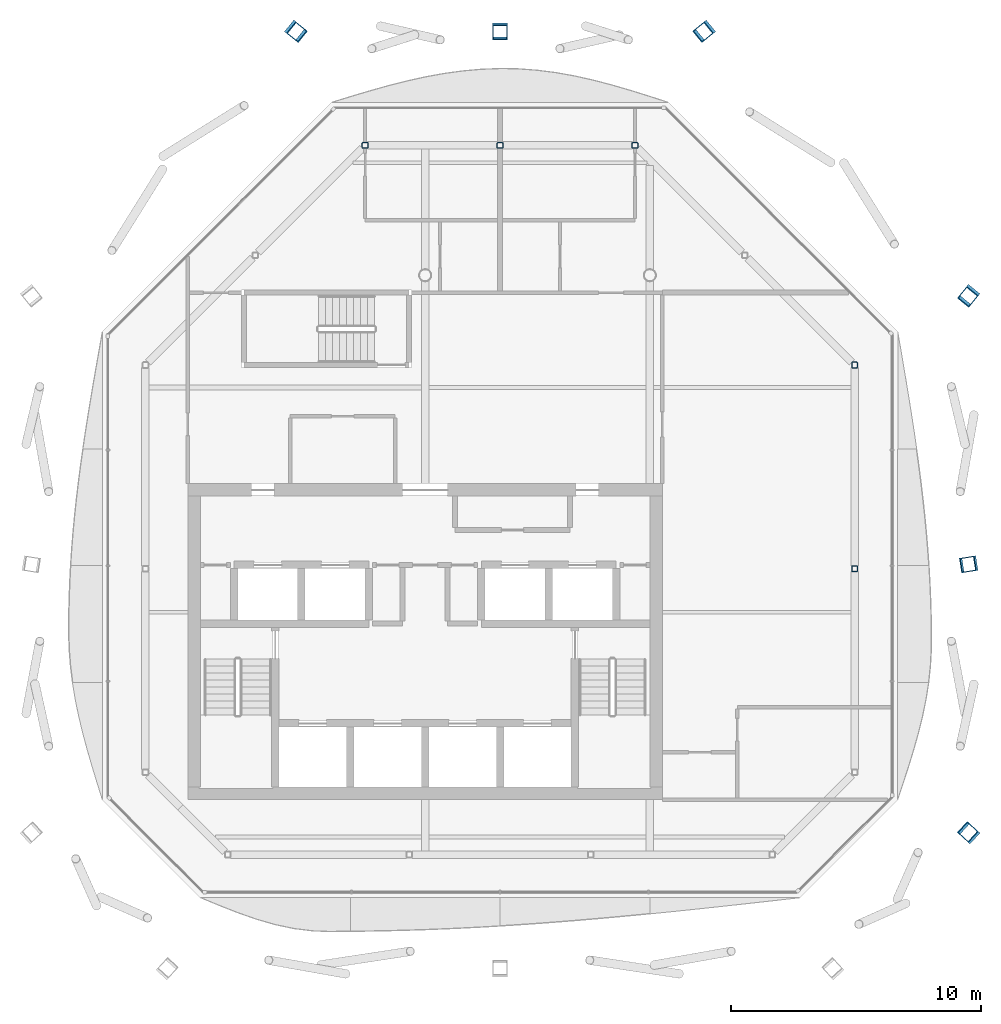
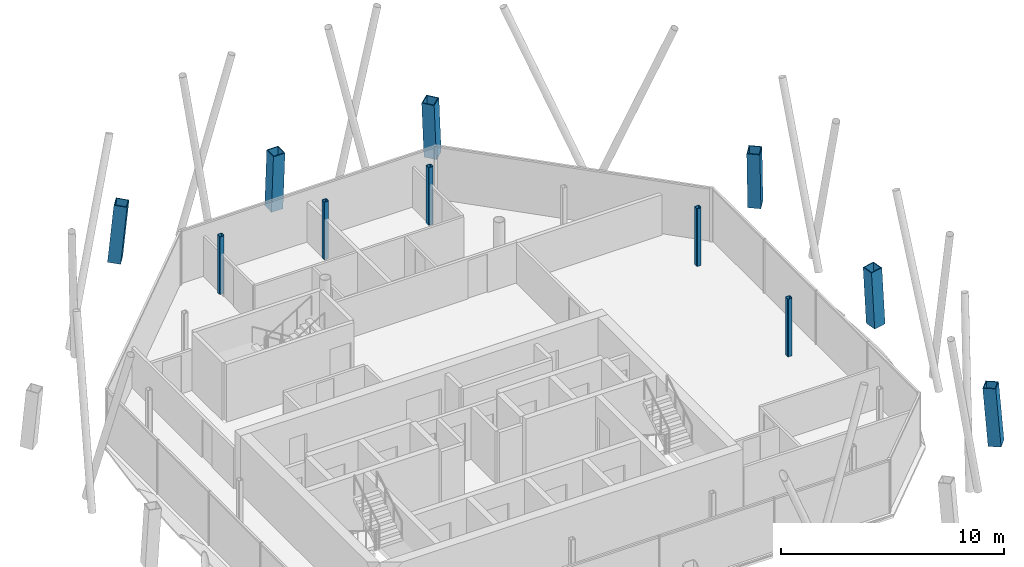
# One storey, part 2 of 13: 11 columns.
"""IFC4 building model written with IfcOpenShell, lengths in metres."""

import ifcopenshell
import ifcopenshell.guid

model = None  # the IFC model being written
_history = None  # IfcOwnerHistory: only IFC2X3 demands one
_inside = {}  # id of a spatial element -> (the spatial element, [elements in it])
_under = {}  # id of a project, library or spatial element -> (it, [spatial elements below it])
_declared = {}  # id of a project -> (the project, [libraries it declares])
_typed = {}  # id of a type object -> (the type object, [elements of that type])
_made_of = {}  # id of a material, layer set ... -> (it, [elements and type objects made of it])


def new_model(schema):
    """Start an empty IFC model of exactly this schema.

    Asked for "IFC4X3", IfcOpenShell would pick the latest addendum, in which some entities
    have other attributes; the version numbers below select the first issue.
    IFC2X3 requires an IfcOwnerHistory on every rooted entity: one is made here for all.
    """
    global model, _history
    if schema == "IFC4X3":
        model = ifcopenshell.file(schema_version=(4, 3, 0, 0))
    else:
        model = ifcopenshell.file(schema=schema)
    _inside.clear()
    _under.clear()
    _declared.clear()
    _typed.clear()
    _made_of.clear()
    _history = None
    if model.schema == "IFC2X3":
        org = make("IfcOrganization", Name="unknown")
        user = make(
            "IfcPersonAndOrganization",
            ThePerson=make("IfcPerson", FamilyName="unknown"),
            TheOrganization=org,
        )
        app = make(
            "IfcApplication",
            ApplicationDeveloper=org,
            Version="unknown",
            ApplicationFullName="unknown",
            ApplicationIdentifier="unknown",
        )
        _history = make(
            "IfcOwnerHistory",
            OwningUser=user,
            OwningApplication=app,
            ChangeAction="ADDED",
            CreationDate=0,
        )
    return model


def make(cls, **values):
    """One entity of the class cls with the attributes given. An attribute that is None is left unset."""
    return model.create_entity(
        cls, **{name: value for name, value in values.items() if value is not None}
    )


def rooted(cls, **values):
    """An entity with a GlobalId (a new one), such as an element, a storey or a relation."""
    return make(cls, GlobalId=ifcopenshell.guid.new(), OwnerHistory=_history, **values)


def si_unit(unit_type, name, prefix=None):
    """IfcSIUnit, for example si_unit("LENGTHUNIT", "METRE", prefix="MILLI")."""
    return make("IfcSIUnit", UnitType=unit_type, Prefix=prefix, Name=name)


def assignment(units):
    """IfcUnitAssignment: the units of a project."""
    return None if units is None else make("IfcUnitAssignment", Units=units)


def point(xyz):
    """IfcCartesianPoint."""
    return None if xyz is None else make("IfcCartesianPoint", Coordinates=xyz)


def direction(xyz):
    """IfcDirection."""
    return None if xyz is None else make("IfcDirection", DirectionRatios=xyz)


def frame(location, z_axis=None, x_axis=None):
    """IfcAxis2Placement3D, a coordinate frame: its origin and axes. An axis left out is left unset."""
    return make(
        "IfcAxis2Placement3D",
        Location=point(location),
        Axis=direction(z_axis),
        RefDirection=direction(x_axis),
    )


def frame_2d(location, x_axis=None):
    """IfcAxis2Placement2D, a coordinate frame in the plane: its origin and x axis."""
    return make(
        "IfcAxis2Placement2D", Location=point(location), RefDirection=direction(x_axis)
    )


def origin():
    """The frame at (0, 0, 0) with its axes left unset."""
    return frame((0.0, 0.0, 0.0))


def origin_2d():
    """The frame at (0, 0) in the plane with its x axis left unset."""
    return frame_2d((0.0, 0.0))


def place(relative_to, where):
    """IfcLocalPlacement: puts the frame where relative to a parent placement (None: the world)."""
    return make(
        "IfcLocalPlacement", PlacementRelTo=relative_to, RelativePlacement=where
    )


def context(
    kind, dimensions, precision=None, world=None, true_north=None, identifier=None
):
    """IfcGeometricRepresentationContext, for example the 3D "Model" context."""
    return make(
        "IfcGeometricRepresentationContext",
        ContextIdentifier=identifier,
        ContextType=kind,
        CoordinateSpaceDimension=dimensions,
        Precision=precision,
        WorldCoordinateSystem=world,
        TrueNorth=true_north,
    )


def subcontext(parent, identifier, kind, view, scale=None):
    """IfcGeometricRepresentationSubContext, for example "Body" below "Model"."""
    return make(
        "IfcGeometricRepresentationSubContext",
        ContextIdentifier=identifier,
        ContextType=kind,
        ParentContext=parent,
        TargetScale=scale,
        TargetView=view,
    )


def project(units=None, contexts=None):
    """IfcProject with its units and contexts."""
    return rooted(
        "IfcProject",
        Name="project",
        RepresentationContexts=contexts,
        UnitsInContext=assignment(units),
    )


def spatial(cls, under=None, at=None, **own):
    """A site, building, storey or space (cls), placed at a placement, below another one or the project."""
    s = rooted(cls, ObjectPlacement=at, **own)
    if under is not None:
        _under.setdefault(under.id(), (under, []))[1].append(s)
    return s


def profile(cls, at=None, kind="AREA", **sizes):
    """A parametric profile (cls). Its sizes go by their IFC names, for example OverallWidth=200.0."""
    return make(cls, ProfileType=kind, Position=at, **sizes)


def hollow_rectangle(**sizes):
    """IfcRectangleHollowProfileDef."""
    return profile("IfcRectangleHollowProfileDef", **sizes)


def extrude(swept, where, along, depth):
    """IfcExtrudedAreaSolid: the profile swept, set in the frame where, extruded along a direction by depth."""
    return make(
        "IfcExtrudedAreaSolid",
        SweptArea=swept,
        Position=where,
        ExtrudedDirection=direction(along),
        Depth=depth,
    )


def shape(context_of_items, identifier, shape_type, items):
    """IfcShapeRepresentation: the items that make up one representation, for example the "Body"."""
    return make(
        "IfcShapeRepresentation",
        ContextOfItems=context_of_items,
        RepresentationIdentifier=identifier,
        RepresentationType=shape_type,
        Items=items,
    )


def material(Name=None, Category=None):
    """IfcMaterial."""
    return make("IfcMaterial", Name=Name, Category=Category)


def material_profile(
    of_material, cross_section, Name=None, Category=None, Priority=None
):
    """IfcMaterialProfile: a cross section and its material."""
    return make(
        "IfcMaterialProfile",
        Name=Name,
        Material=of_material,
        Profile=cross_section,
        Priority=Priority,
        Category=Category,
    )


def profile_set(profiles, Name=None, composite=None):
    """IfcMaterialProfileSet."""
    return make(
        "IfcMaterialProfileSet",
        Name=Name,
        MaterialProfiles=profiles,
        CompositeProfile=composite,
    )


def made_of(thing, what):
    """Note that an element or type object is made of a material, layer set ...; save() writes the relation."""
    if what is not None:
        _made_of.setdefault(what.id(), (what, []))[1].append(thing)
    return thing


def type_object(cls, material=None, **own):
    """A type object (cls), such as IfcWallType, which elements share."""
    return made_of(rooted(cls, **own), material)


def element(
    cls,
    number,
    at=None,
    inside=None,
    cuts=None,
    type_object=None,
    material=None,
    context=None,
    identifier="Body",
    shape_type=None,
    held_by="IfcProductDefinitionShape",
    body=None,
    shapes=None,
    **own,
):
    """One element of the class cls, such as IfcWall. Its Tag is "e" and its number.

    at: its placement. inside: the storey or other place that contains it. cuts: it is an
    opening in that element (IfcRelVoidsElement). A single representation is given by context,
    identifier, shape_type and body (its items); several are given by shapes. held_by: the class
    of the entity that holds the representations. save() writes the other relations.
    """
    e = rooted(cls, Tag="e%d" % number, ObjectPlacement=at, **own)
    if body is not None:
        shapes = [shape(context, identifier, shape_type, body)]
    if shapes is not None:
        e.Representation = make(held_by, Representations=shapes)
    if inside is not None:
        _inside.setdefault(inside.id(), (inside, []))[1].append(e)
    if cuts is not None:
        rooted(
            "IfcRelVoidsElement", RelatingBuildingElement=cuts, RelatedOpeningElement=e
        )
    if type_object is not None:
        _typed.setdefault(type_object.id(), (type_object, []))[1].append(e)
    return made_of(e, material)


def aggregate(whole, parts):
    """IfcRelAggregates: a whole, such as a stair, and the parts it consists of."""
    return rooted("IfcRelAggregates", RelatingObject=whole, RelatedObjects=parts)


def save(model, path):
    """Write the relations noted so far, then the file.

    IfcRelAggregates (storeys below a building ...), IfcRelContainedInSpatialStructure (elements
    in a storey), IfcRelDefinesByType, IfcRelAssociatesMaterial and IfcRelDeclares: one each for
    every whole, place, type object, material and project.
    """
    for whole, parts in _under.values():
        aggregate(whole, parts)
    for where, things in _inside.values():
        rooted(
            "IfcRelContainedInSpatialStructure",
            RelatedElements=things,
            RelatingStructure=where,
        )
    for kind, things in _typed.values():
        rooted("IfcRelDefinesByType", RelatedObjects=things, RelatingType=kind)
    for what, things in _made_of.values():
        rooted("IfcRelAssociatesMaterial", RelatedObjects=things, RelatingMaterial=what)
    for by, libraries in _declared.values():
        rooted("IfcRelDeclares", RelatingContext=by, RelatedDefinitions=libraries)
    model.write(path)


model = new_model("IFC4")

# Units and contexts
model_context = context("Model", 3, precision=1e-05, world=origin(), true_north=direction((0.0, 1.0)))
body_context = subcontext(model_context, "Body", "Model", "MODEL_VIEW")
ifc_project = project(units=[si_unit("LENGTHUNIT", "METRE"), si_unit("AREAUNIT", "SQUARE_METRE"), si_unit("VOLUMEUNIT", "CUBIC_METRE"), si_unit("PLANEANGLEUNIT", "RADIAN"), si_unit("MASSUNIT", "GRAM", prefix="KILO")], contexts=[model_context])

# Site, building, storey
site_placement = place(None, origin())
site = spatial("IfcSite", under=ifc_project, at=site_placement, CompositionType="ELEMENT")
building_placement = place(site_placement, origin())
building = spatial("IfcBuilding", under=site, at=building_placement, Name="Tskaro Facet Tower", CompositionType="ELEMENT")
storey_placement = place(building_placement, frame((0.0, 0.0, 278.39990234375)))
storey = spatial("IfcBuildingStorey", under=building, at=storey_placement, Name="L74", CompositionType="ELEMENT", Elevation=278.39990234375)

# Columns
ifc_material_1 = material(Name="Steel S355J2", Category="steel")
ifc_material_profile_1 = material_profile(ifc_material_1, hollow_rectangle(XDim=0.60009765625, YDim=0.60009765625, WallThickness=0.0400390625, at=origin_2d()), Name="BOX 600x600x40")
ifc_profile_set_1 = profile_set([ifc_material_profile_1], Name="Steel S355J2")
column_type_1 = type_object("IfcColumnType", Name="BOX 600x600x40 mega column", PredefinedType="COLUMN", material=ifc_profile_set_1)
column_1_placement = place(storey_placement, frame((21.798095703125, -13.35498046875, 0.0), z_axis=(-0.057946982858, 0.052847648367, 0.996919893091), x_axis=(-0.673848784787, -0.738869281565, 0.0)))
element("IfcColumn", 1, at=column_1_placement, inside=storey, type_object=column_type_1, Name="BOX 600x600x40 MC04/6", PredefinedType="COLUMN", context=body_context, shape_type="SweptSolid", body=[
    extrude(hollow_rectangle(XDim=0.60009765625, YDim=0.60009765625, WallThickness=0.0400390625, at=origin_2d()), origin(), (0.0, 0.0, 1.0), 3.159912109375),
])
column_2_placement = place(storey_placement, frame((21.798095703125, -2.571044921875, 0.0), z_axis=(-0.058025612666, -0.009206730543, 0.998272640308), x_axis=(0.156706377373, -0.987645235543, 0.0)))
element("IfcColumn", 2, at=column_2_placement, inside=storey, type_object=column_type_1, Name="BOX 600x600x40 MC05/6", PredefinedType="COLUMN", context=body_context, shape_type="SweptSolid", body=[
    extrude(hollow_rectangle(XDim=0.60009765625, YDim=0.60009765625, WallThickness=0.0400390625, at=origin_2d()), origin(), (0.0, 0.0, 1.0), 3.155517578125),
])
for number, where, z_axis, x_axis, name in (
    (3, (21.798095703125, 8.212890625, 0.0), (-0.057880031426, -0.071385372092, 0.995768060651), (0.77675574872, -0.629801958421, 0.0), "BOX 600x600x40 MC06/6"),
    (4, (11.212890625, 18.798095703125, 0.0), (-0.071385372092, -0.057880031426, 0.995768060651), (0.629801958421, -0.77675574872, 0.0), "BOX 600x600x40 MC07/6"),
):
    element("IfcColumn", number, at=place(storey_placement, frame(where, z_axis=z_axis, x_axis=x_axis)), inside=storey, type_object=column_type_1, Name=name, PredefinedType="COLUMN", context=body_context, shape_type="SweptSolid", body=[
        extrude(hollow_rectangle(XDim=0.60009765625, YDim=0.60009765625, WallThickness=0.0400390625, at=origin_2d()), origin(), (0.0, 0.0, 1.0), 3.16357421875),
    ])
column_3_placement = place(storey_placement, frame((3.0, 18.798095703125, 0.0), z_axis=(0.0, -0.058028072061, 0.998314951733), x_axis=(1.0, 0.0, 0.0)))
element("IfcColumn", 5, at=column_3_placement, inside=storey, type_object=column_type_1, Name="BOX 600x600x40 MC08/6", PredefinedType="COLUMN", context=body_context, shape_type="SweptSolid", body=[
    extrude(hollow_rectangle(XDim=0.60009765625, YDim=0.60009765625, WallThickness=0.0400390625, at=origin_2d()), origin(), (0.0, 0.0, 1.0), 3.155517578125),
])
column_4_placement = place(storey_placement, frame((-5.212890625, 18.798095703125, 0.0), z_axis=(0.071385372092, -0.057880031426, 0.995768060651), x_axis=(0.629801958421, 0.77675574872, 0.0)))
element("IfcColumn", 6, at=column_4_placement, inside=storey, type_object=column_type_1, Name="BOX 600x600x40 MC09/6", PredefinedType="COLUMN", context=body_context, shape_type="SweptSolid", body=[
    extrude(hollow_rectangle(XDim=0.60009765625, YDim=0.60009765625, WallThickness=0.0400390625, at=origin_2d()), origin(), (0.0, 0.0, 1.0), 3.16357421875),
])
ifc_material_2 = material(Name="Steel S355J2H", Category="steel")
ifc_material_profile_2 = material_profile(ifc_material_2, hollow_rectangle(XDim=0.25, YDim=0.25, WallThickness=0.02001953125, InnerFilletRadius=0.030029296875, OuterFilletRadius=0.050048828125, at=origin_2d()), Name="SHS 250x250x20")
ifc_profile_set_2 = profile_set([ifc_material_profile_2], Name="Steel S355J2H")
column_type_2 = type_object("IfcColumnType", Name="SHS 250x250x20 ring column", PredefinedType="COLUMN", material=ifc_profile_set_2)
for number, where, z_axis, x_axis, name in (
    (7, (17.199951171875, -2.75, 0.0), (0.0, 0.0, 1.0), (1.0, 0.0, 0.0), "SHS 250x250x20 RE-2/6"),
    (8, (17.199951171875, 5.403076171875, 0.0), (0.0, 0.0, 1.0), (1.0, 0.0, 0.0), "SHS 250x250x20 RNE-1/6"),
    (9, (8.403076171875, 14.199951171875, 0.0), (0.0, 0.0, 1.0), (1.0, 0.0, 0.0), "SHS 250x250x20 RN-1/6"),
    (10, (3.0, 14.199951171875, 0.0), (0.0, 0.0, 1.0), (1.0, 0.0, 0.0), "SHS 250x250x20 RN-2/6"),
    (11, (-2.403076171875, 14.199951171875, 0.0), (0.0, 0.0, 1.0), (1.0, 0.0, 0.0), "SHS 250x250x20 RNW-1/6"),
):
    element("IfcColumn", number, at=place(storey_placement, frame(where, z_axis=z_axis, x_axis=x_axis)), inside=storey, type_object=column_type_2, Name=name, PredefinedType="COLUMN", context=body_context, shape_type="SweptSolid", body=[
        extrude(hollow_rectangle(XDim=0.25, YDim=0.25, WallThickness=0.02001953125, InnerFilletRadius=0.030029296875, OuterFilletRadius=0.050048828125, at=origin_2d()), origin(), (0.0, 0.0, 1.0), 3.150146484375),
    ])

save(model, "model.ifc")
